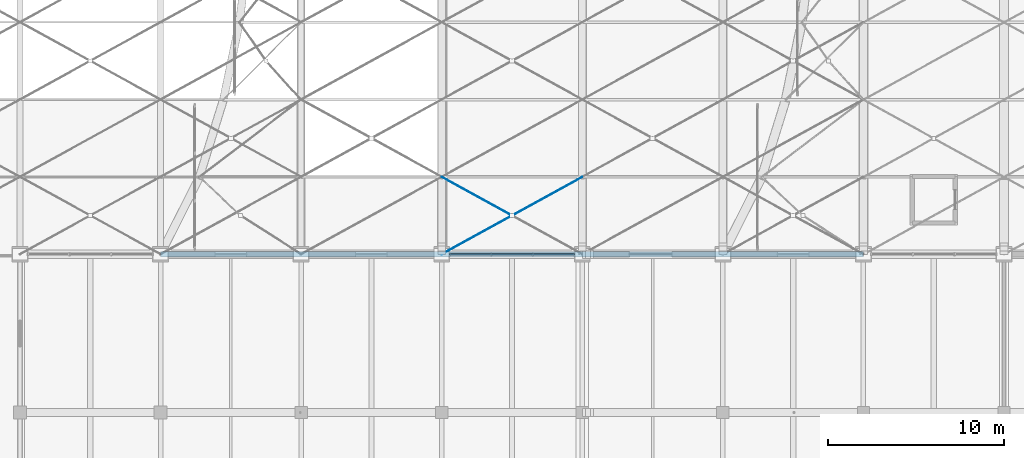
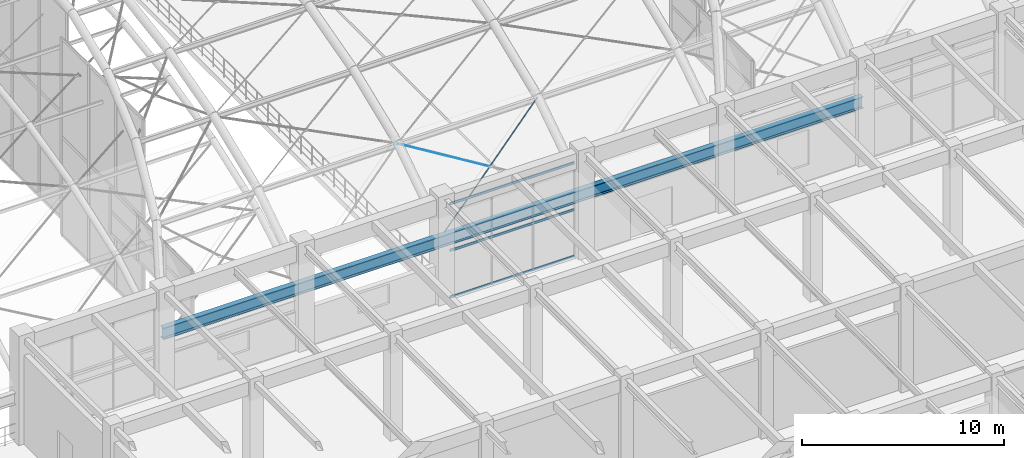
# One storey, part 21 of 163: 5 members, 1 beam, 1 element without a shape of its own.
"""IFC4 building model written with IfcOpenShell, lengths in metres."""

from ifc_helpers import new_model, si_unit, direction, frame, origin, origin_2d, place, context, subcontext, project, spatial, hollow_rectangle, circle, i_section, extrude, material, material_profile, profile_set, type_object, element, aggregate, save


model = new_model("IFC4")

# Units and contexts
model_context = context("Model", 3, precision=1e-05, world=origin(), true_north=direction((0.0, 1.0)))
body_context = subcontext(model_context, "Body", "Model", "MODEL_VIEW")
ifc_project = project(units=[si_unit("LENGTHUNIT", "METRE"), si_unit("AREAUNIT", "SQUARE_METRE"), si_unit("VOLUMEUNIT", "CUBIC_METRE"), si_unit("PLANEANGLEUNIT", "RADIAN"), si_unit("MASSUNIT", "GRAM", prefix="KILO")], contexts=[model_context])

# Site, building, storey
site_placement = place(None, origin())
site = spatial("IfcSite", under=ifc_project, at=site_placement, CompositionType="ELEMENT")
building_placement = place(site_placement, origin())
building = spatial("IfcBuilding", under=site, at=building_placement, Name="Varnabhumi Central Station", CompositionType="ELEMENT")
storey_placement = place(building_placement, frame((0.0, 0.0, 9.60009765625)))
storey = spatial("IfcBuildingStorey", under=building, at=storey_placement, Name="L02", CompositionType="ELEMENT", Elevation=9.60009765625)

# Beam
ifc_material_1 = material(Name="Structural steel E350", Category="steel")
ifc_material_profile_1 = material_profile(ifc_material_1, i_section(OverallWidth=0.300048828125, OverallDepth=0.699951171875, WebThickness=0.01708984375, FlangeThickness=0.031982421875, FilletRadius=0.027099609375, at=origin_2d()), Name="Structural steel E350", Category="steel")
ifc_profile_set_1 = profile_set([ifc_material_profile_1], Name="Structural steel E350")
beam_type = type_object("IfcBeamType", Name="BM-RING-WPB700", PredefinedType="BEAM", material=ifc_profile_set_1)
beam_placement = place(storey_placement, frame((40.0, 36.0, 3.60986328125), z_axis=(1.0, 0.0, 0.0), x_axis=(0.0, 1.0, 0.0)))
element("IfcBeam", 1, at=beam_placement, inside=storey, type_object=beam_type, Name="Ticket Hall Vault Compression Ring Beam S", PredefinedType="BEAM", context=body_context, shape_type="SweptSolid", body=[
    extrude(i_section(OverallWidth=0.300048828125, OverallDepth=0.699951171875, WebThickness=0.01708984375, FlangeThickness=0.031982421875, FilletRadius=0.027099609375, at=origin_2d()), origin(), (0.0, 0.0, 1.0), 40.0),
])

# Curtain wall, members
ifc_material_2 = material(Name="Anodised aluminium 6063-T6", Category="aluminium")
curtain_wall_type = type_object("IfcCurtainWallType", Name="CW-SPINE-SCREEN-L2", PredefinedType="NOTDEFINED", material=ifc_material_2)
curtain_wall_placement = place(storey_placement, origin())
curtain_wall = element("IfcCurtainWall", 2, at=curtain_wall_placement, inside=storey, type_object=curtain_wall_type, Name="Curtain Wall CW-SS203", PredefinedType="NOTDEFINED")
ifc_material_profile_2 = material_profile(ifc_material_2, hollow_rectangle(XDim=0.06005859375, YDim=0.14990234375, WallThickness=0.00390625, InnerFilletRadius=0.001953125, OuterFilletRadius=0.006103515625, at=origin_2d()), Name="Anodised aluminium 6063-T6", Category="aluminium")
ifc_profile_set_2 = profile_set([ifc_material_profile_2], Name="Anodised aluminium 6063-T6")
member_type_1 = type_object("IfcMemberType", Name="CW-TR-150", PredefinedType="USERDEFINED", material=ifc_profile_set_2)
member_1_placement = place(storey_placement, frame((56.449951171875, 36.0, 0.0), z_axis=(1.0, 0.0, 0.0), x_axis=(0.0, 1.0, 0.0)))
member_1 = element("IfcMember", 3, at=member_1_placement, type_object=member_type_1, Name="Curtain Wall Transom CW-SS203-T1", ObjectType="TRANSOM", PredefinedType="USERDEFINED", context=body_context, shape_type="SweptSolid", body=[
    extrude(hollow_rectangle(XDim=0.06005859375, YDim=0.14990234375, WallThickness=0.00390625, InnerFilletRadius=0.001953125, OuterFilletRadius=0.006103515625, at=origin_2d()), origin(), (0.0, 0.0, 1.0), 7.10009765625),
])
member_2_placement = place(storey_placement, frame((56.449951171875, 36.0, 2.81982421875), z_axis=(1.0, 0.0, 0.0), x_axis=(0.0, 1.0, 0.0)))
member_2 = element("IfcMember", 4, at=member_2_placement, type_object=member_type_1, Name="Curtain Wall Transom CW-SS203-T2", ObjectType="TRANSOM", PredefinedType="USERDEFINED", context=body_context, shape_type="SweptSolid", body=[
    extrude(hollow_rectangle(XDim=0.06005859375, YDim=0.14990234375, WallThickness=0.00390625, InnerFilletRadius=0.001953125, OuterFilletRadius=0.006103515625, at=origin_2d()), origin(), (0.0, 0.0, 1.0), 7.10009765625),
])
member_3_placement = place(storey_placement, frame((56.449951171875, 36.0, 5.639892578125), z_axis=(1.0, 0.0, 0.0), x_axis=(0.0, 1.0, 0.0)))
member_3 = element("IfcMember", 5, at=member_3_placement, type_object=member_type_1, Name="Curtain Wall Transom CW-SS203-T3", ObjectType="TRANSOM", PredefinedType="USERDEFINED", context=body_context, shape_type="SweptSolid", body=[
    extrude(hollow_rectangle(XDim=0.06005859375, YDim=0.14990234375, WallThickness=0.00390625, InnerFilletRadius=0.001953125, OuterFilletRadius=0.006103515625, at=origin_2d()), origin(), (0.0, 0.0, 1.0), 7.10009765625),
])
aggregate(curtain_wall, [member_1, member_2, member_3])

# Members
ifc_material_3 = material(Name="Spiral-strand steel S1570", Category="steel")
ifc_material_profile_3 = material_profile(ifc_material_3, circle(Radius=0.02099609375, at=origin_2d()), Name="Spiral-strand steel S1570", Category="steel")
ifc_profile_set_3 = profile_set([ifc_material_profile_3], Name="Spiral-strand steel S1570")
member_type_2 = type_object("IfcMemberType", Name="MBR-CABLE-D42", PredefinedType="USERDEFINED", material=ifc_profile_set_3)
member_4_placement = place(storey_placement, frame((56.0, 36.0, 3.869873046875), z_axis=(0.8352374511, 0.459370402335, 0.302253591771), x_axis=(-0.481910537812, 0.876220425204, 0.0)))
element("IfcMember", 6, at=member_4_placement, inside=storey, type_object=member_type_2, Name="Ticket Hall Vault Cable-Net Tie B3-P1A", ObjectType="TENSION CABLE", PredefinedType="USERDEFINED", context=body_context, shape_type="SweptSolid", body=[
    extrude(circle(Radius=0.02099609375, at=origin_2d()), origin(), (0.0, 0.0, 1.0), 9.578125),
])
member_5_placement = place(storey_placement, frame((56.0, 40.39990234375, 6.764892578125), z_axis=(0.8352374511, -0.459370402335, -0.302253591771), x_axis=(0.481910537812, 0.876220425204, 0.0)))
element("IfcMember", 7, at=member_5_placement, inside=storey, type_object=member_type_2, Name="Ticket Hall Vault Cable-Net Split Tie B3-P1B1", ObjectType="TENSION CABLE", PredefinedType="USERDEFINED", context=body_context, shape_type="SweptSolid", body=[
    extrude(circle(Radius=0.02099609375, at=origin_2d()), origin(), (0.0, 0.0, 1.0), 4.7890625),
])

save(model, "model.ifc")
